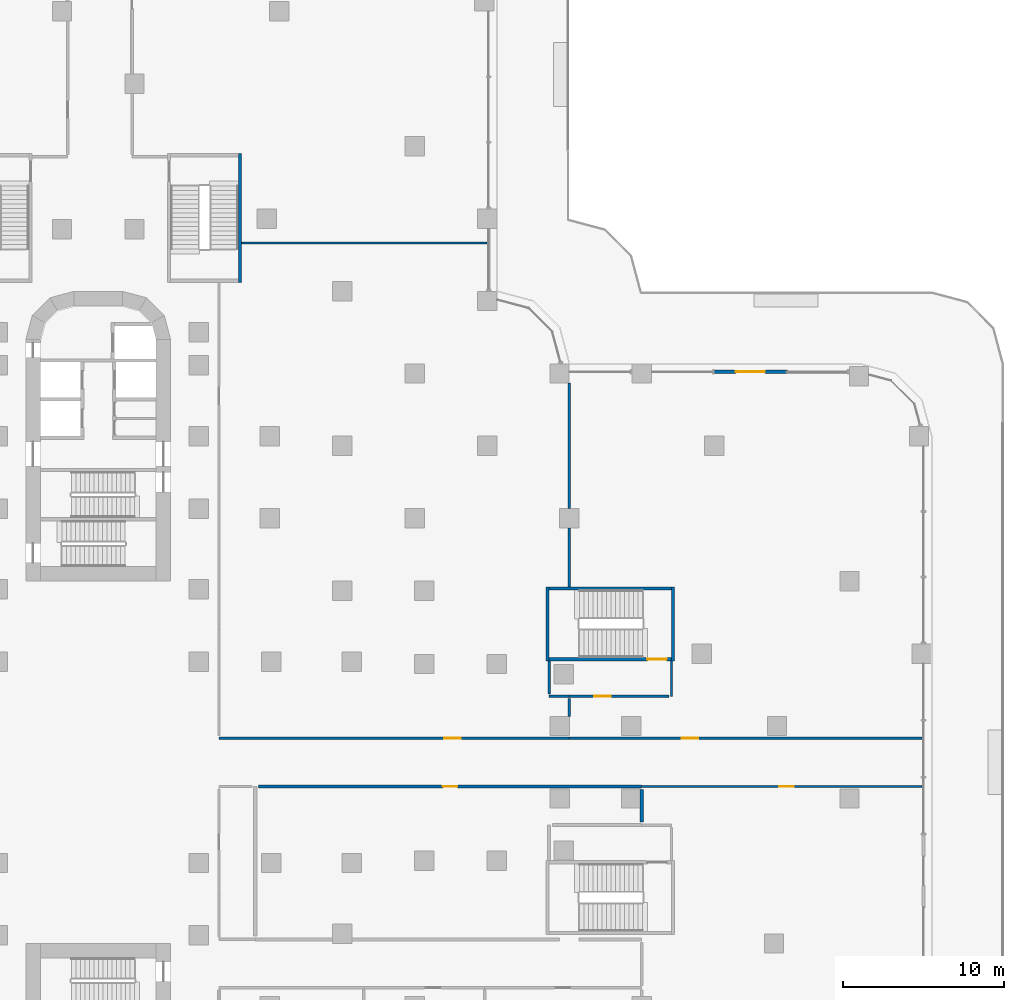
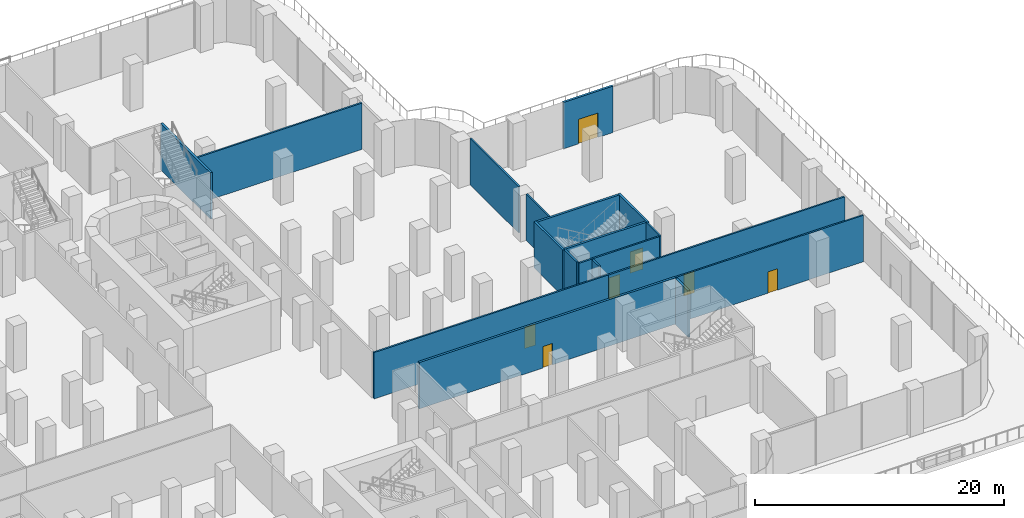
# One storey, part 22 of 30: 19 walls, 7 doors, 7 openings.
"""IFC4 building model written with IfcOpenShell, lengths in metres."""

from ifc_helpers import new_model, si_unit, direction, frame, frame_2d, origin, place, context, subcontext, project, spatial, rectangle, extrude, material, layer, layer_set, type_object, element, fill, save


model = new_model("IFC4")

# Units and contexts
model_context = context("Model", 3, precision=1e-05, world=origin(), true_north=direction((0.0, 1.0)))
body_context = subcontext(model_context, "Body", "Model", "MODEL_VIEW")
ifc_project = project(units=[si_unit("LENGTHUNIT", "METRE"), si_unit("AREAUNIT", "SQUARE_METRE"), si_unit("VOLUMEUNIT", "CUBIC_METRE"), si_unit("PLANEANGLEUNIT", "RADIAN"), si_unit("MASSUNIT", "GRAM", prefix="KILO")], contexts=[model_context])

# Site, building, storey
site_placement = place(None, origin())
site = spatial("IfcSite", under=ifc_project, at=site_placement, CompositionType="ELEMENT")
building_placement = place(site_placement, origin())
building = spatial("IfcBuilding", under=site, at=building_placement, Name="Zarbagh Exchange Tower", CompositionType="ELEMENT")
storey_placement = place(building_placement, frame((0.0, 0.0, 7.0)))
storey = spatial("IfcBuildingStorey", under=building, at=storey_placement, Name="L01", CompositionType="ELEMENT", Elevation=7.0)

# Walls
ifc_material_1 = material(Name="Plasterboard partition")
ifc_layer_1 = layer(ifc_material_1, 0.14990234375)
ifc_layer_set_1 = layer_set([ifc_layer_1], Name="Board partition 150")
wall_type_1 = type_object("IfcWallType", Name="Board partition 150", PredefinedType="PARTITIONING", material=ifc_layer_set_1)
wall_1_placement = place(storey_placement, frame((29.25, 4.10009765625, 0.0), z_axis=(0.0, 0.0, 1.0), x_axis=(-1.0, 0.0, 0.0)))
element("IfcWall", 1, at=wall_1_placement, inside=storey, type_object=wall_type_1, Name="WL-L01-W003", PredefinedType="PARTITIONING", context=body_context, shape_type="SweptSolid", body=[
    extrude(rectangle(XDim=1.25, YDim=0.14990234375, at=frame_2d((0.625, 0.0))), origin(), (0.0, 0.0, 1.0), 4.550048828125),
])
wall_2_placement = place(storey_placement, frame((28.0, 4.25, 0.0), z_axis=(0.0, 0.0, 1.0), x_axis=(0.0, 1.0, 0.0)))
element("IfcWall", 2, at=wall_2_placement, inside=storey, type_object=wall_type_1, Name="WL-L01-W004", PredefinedType="PARTITIONING", context=body_context, shape_type="SweptSolid", body=[
    extrude(rectangle(XDim=2.050048828125, YDim=0.14990234375, at=frame_2d((1.02490234375, 0.0))), origin(), (0.0, 0.0, 1.0), 4.550048828125),
])
wall_3_placement = place(storey_placement, frame((35.60009765625, 6.300048828125, 0.0), z_axis=(0.0, 0.0, 1.0), x_axis=(0.0, -1.0, 0.0)))
element("IfcWall", 3, at=wall_3_placement, inside=storey, type_object=wall_type_1, Name="WL-L01-W005", PredefinedType="PARTITIONING", context=body_context, shape_type="SweptSolid", body=[
    extrude(rectangle(XDim=2.199951171875, YDim=0.14990234375, at=frame_2d((1.10009765625, 0.0))), origin(), (0.0, 0.0, 1.0), 4.550048828125),
])

# Wall, opening, door
wall_4_placement = place(storey_placement, frame((35.449951171875, 4.10009765625, 0.0), z_axis=(0.0, 0.0, 1.0), x_axis=(-1.0, 0.0, 0.0)))
wall_4 = element("IfcWall", 4, at=wall_4_placement, inside=storey, type_object=wall_type_1, Name="WL-L01-W006", PredefinedType="PARTITIONING", context=body_context, shape_type="SweptSolid", body=[
    extrude(rectangle(XDim=6.199951171875, YDim=0.14990234375, at=frame_2d((3.10009765625, 0.0))), origin(), (0.0, 0.0, 1.0), 4.550048828125),
])
opening_1_placement = place(wall_4_placement, frame((3.633056640625, 0.0, 0.0)))
opening_1 = element("IfcOpeningElement", 5, at=opening_1_placement, cuts=wall_4, Name="Opening D30", PredefinedType="OPENING", context=body_context, shape_type="SweptSolid", body=[
    extrude(rectangle(XDim=1.0, YDim=2.10009765625, at=frame_2d((0.5, 1.050048828125))), frame((0.0, 0.0849609375, 0.0), z_axis=(0.0, -1.0, 0.0), x_axis=(1.0, 0.0, 0.0)), (0.0, 0.0, 1.0), 0.169921875),
])
ifc_material_2 = material(Name="Timber door leaf", Category="wood")
door_type_1 = type_object("IfcDoorType", Name="Door single 1000x2100", OperationType="SINGLE_SWING_LEFT", PredefinedType="DOOR", material=ifc_material_2)
door_1_placement = place(opening_1_placement, origin())
door_1 = element("IfcDoor", 6, at=door_1_placement, inside=storey, type_object=door_type_1, Name="D01", OperationType="SINGLE_SWING_LEFT", OverallHeight=2.10009765625, OverallWidth=1.0, PredefinedType="DOOR", context=body_context, shape_type="SweptSolid", body=[
    extrude(rectangle(XDim=1.0, YDim=2.10009765625, at=frame_2d((0.5, 1.050048828125))), frame((0.0, 0.02490234375, 0.0), z_axis=(0.0, -1.0, 0.0), x_axis=(1.0, 0.0, 0.0)), (0.0, 0.0, 1.0), 0.050048828125),
])
fill(opening_1, door_1)

wall_5_placement = place(storey_placement, frame((7.5, 1.5, 0.0), z_axis=(0.0, 0.0, 1.0), x_axis=(1.0, 0.0, 0.0)))
wall_5 = element("IfcWall", 7, at=wall_5_placement, inside=storey, type_object=wall_type_1, Name="WL-L01-W071", PredefinedType="PARTITIONING", context=body_context, shape_type="SweptSolid", body=[
    extrude(rectangle(XDim=21.75, YDim=0.14990234375, at=frame_2d((10.875, 0.0))), origin(), (0.0, 0.0, 1.0), 4.550048828125),
])
opening_2_placement = place(wall_5_placement, frame((14.0, 0.0, 0.0)))
opening_2 = element("IfcOpeningElement", 8, at=opening_2_placement, cuts=wall_5, Name="Opening D61", PredefinedType="OPENING", context=body_context, shape_type="SweptSolid", body=[
    extrude(rectangle(XDim=1.0, YDim=2.10009765625, at=frame_2d((0.5, 1.050048828125))), frame((0.0, 0.0849609375, 0.0), z_axis=(0.0, -1.0, 0.0), x_axis=(1.0, 0.0, 0.0)), (0.0, 0.0, 1.0), 0.169921875),
])
door_2_placement = place(opening_2_placement, origin())
door_2 = element("IfcDoor", 9, at=door_2_placement, inside=storey, type_object=door_type_1, Name="D16", OperationType="SINGLE_SWING_LEFT", OverallHeight=2.10009765625, OverallWidth=1.0, PredefinedType="DOOR", context=body_context, shape_type="SweptSolid", body=[
    extrude(rectangle(XDim=1.0, YDim=2.10009765625, at=frame_2d((0.5, 1.050048828125))), frame((0.0, 0.02490234375, 0.0), z_axis=(0.0, -1.0, 0.0), x_axis=(1.0, 0.0, 0.0)), (0.0, 0.0, 1.0), 0.050048828125),
])
fill(opening_2, door_2)

wall_6_placement = place(storey_placement, frame((29.25, 1.5, 0.0), z_axis=(0.0, 0.0, 1.0), x_axis=(1.0, 0.0, 0.0)))
wall_6 = element("IfcWall", 10, at=wall_6_placement, inside=storey, type_object=wall_type_1, Name="WL-L01-W072", PredefinedType="PARTITIONING", context=body_context, shape_type="SweptSolid", body=[
    extrude(rectangle(XDim=21.89990234375, YDim=0.14990234375, at=frame_2d((10.949951171875, 0.0))), origin(), (0.0, 0.0, 1.0), 4.550048828125),
])
opening_3_placement = place(wall_6_placement, frame((7.0, 0.0, 0.0)))
opening_3 = element("IfcOpeningElement", 11, at=opening_3_placement, cuts=wall_6, Name="Opening D62", PredefinedType="OPENING", context=body_context, shape_type="SweptSolid", body=[
    extrude(rectangle(XDim=1.0, YDim=2.10009765625, at=frame_2d((0.5, 1.050048828125))), frame((0.0, 0.0849609375, 0.0), z_axis=(0.0, -1.0, 0.0), x_axis=(1.0, 0.0, 0.0)), (0.0, 0.0, 1.0), 0.169921875),
])
door_3_placement = place(opening_3_placement, origin())
door_3 = element("IfcDoor", 12, at=door_3_placement, inside=storey, type_object=door_type_1, Name="D17", OperationType="SINGLE_SWING_LEFT", OverallHeight=2.10009765625, OverallWidth=1.0, PredefinedType="DOOR", context=body_context, shape_type="SweptSolid", body=[
    extrude(rectangle(XDim=1.0, YDim=2.10009765625, at=frame_2d((0.5, 1.050048828125))), frame((0.0, 0.02490234375, 0.0), z_axis=(0.0, -1.0, 0.0), x_axis=(1.0, 0.0, 0.0)), (0.0, 0.0, 1.0), 0.050048828125),
])
fill(opening_3, door_3)

wall_7_placement = place(storey_placement, frame((51.14990234375, -1.5, 0.0), z_axis=(0.0, 0.0, 1.0), x_axis=(-1.0, 0.0, 0.0)))
wall_7 = element("IfcWall", 13, at=wall_7_placement, inside=storey, type_object=wall_type_1, Name="WL-L01-W073", PredefinedType="PARTITIONING", context=body_context, shape_type="SweptSolid", body=[
    extrude(rectangle(XDim=17.39990234375, YDim=0.14990234375, at=frame_2d((8.699951171875, 0.0))), origin(), (0.0, 0.0, 1.0), 4.550048828125),
])
opening_4_placement = place(wall_7_placement, frame((7.949951171875, 0.0, 0.0)))
opening_4 = element("IfcOpeningElement", 14, at=opening_4_placement, cuts=wall_7, Name="Opening D18", PredefinedType="OPENING", context=body_context, shape_type="SweptSolid", body=[
    extrude(rectangle(XDim=0.89990234375, YDim=2.10009765625, at=frame_2d((0.449951171875, 1.050048828125))), frame((0.0, 0.0849609375, 0.0), z_axis=(0.0, -1.0, 0.0), x_axis=(1.0, 0.0, 0.0)), (0.0, 0.0, 1.0), 0.169921875),
])
door_type_2 = type_object("IfcDoorType", Name="Door single 900x2100", OperationType="SINGLE_SWING_LEFT", PredefinedType="DOOR", material=ifc_material_2)
door_4_placement = place(opening_4_placement, origin())
door_4 = element("IfcDoor", 15, at=door_4_placement, inside=storey, type_object=door_type_2, Name="D18", OperationType="SINGLE_SWING_LEFT", OverallHeight=2.10009765625, OverallWidth=0.89990234375, PredefinedType="DOOR", context=body_context, shape_type="SweptSolid", body=[
    extrude(rectangle(XDim=0.89990234375, YDim=2.10009765625, at=frame_2d((0.449951171875, 1.050048828125))), frame((0.0, 0.02490234375, 0.0), z_axis=(0.0, -1.0, 0.0), x_axis=(1.0, 0.0, 0.0)), (0.0, 0.0, 1.0), 0.050048828125),
])
fill(opening_4, door_4)

# Walls
wall_8_placement = place(storey_placement, frame((29.25, 3.949951171875, 0.0), z_axis=(0.0, 0.0, 1.0), x_axis=(0.0, -1.0, 0.0)))
element("IfcWall", 16, at=wall_8_placement, inside=storey, type_object=wall_type_1, Name="WL-L01-W085", PredefinedType="PARTITIONING", context=body_context, shape_type="SweptSolid", body=[
    extrude(rectangle(XDim=1.099853515625, YDim=0.14990234375, at=frame_2d((0.5498046875, 0.0))), origin(), (0.0, 0.0, 1.0), 4.550048828125),
])
wall_9_placement = place(storey_placement, frame((29.25, 23.550048828125, 0.0), z_axis=(0.0, 0.0, 1.0), x_axis=(0.0, -1.0, 0.0)))
element("IfcWall", 17, at=wall_9_placement, inside=storey, type_object=wall_type_1, Name="WL-L01-W086", PredefinedType="PARTITIONING", context=body_context, shape_type="SweptSolid", body=[
    extrude(rectangle(XDim=7.800048828125, YDim=0.14990234375, at=frame_2d((3.89990234375, 0.0))), origin(), (0.0, 0.0, 1.0), 4.550048828125),
])
wall_10_placement = place(storey_placement, frame((29.25, 14.550048828125, 0.0), z_axis=(0.0, 0.0, 1.0), x_axis=(0.0, -1.0, 0.0)))
element("IfcWall", 18, at=wall_10_placement, inside=storey, type_object=wall_type_1, Name="WL-L01-W087", PredefinedType="PARTITIONING", context=body_context, shape_type="SweptSolid", body=[
    extrude(rectangle(XDim=3.650146484375, YDim=0.14990234375, at=frame_2d((1.8251953125, 0.0))), origin(), (0.0, 0.0, 1.0), 4.550048828125),
])
wall_11_placement = place(storey_placement, frame((8.89990234375, 32.25, 0.0), z_axis=(0.0, 0.0, 1.0), x_axis=(1.0, 0.0, 0.0)))
element("IfcWall", 19, at=wall_11_placement, inside=storey, type_object=wall_type_1, Name="WL-L01-W088", PredefinedType="PARTITIONING", context=body_context, shape_type="SweptSolid", body=[
    extrude(rectangle(XDim=15.25, YDim=0.14990234375, at=frame_2d((7.625, 0.0))), origin(), (0.0, 0.0, 1.0), 4.550048828125),
])

# Wall, opening, door
ifc_material_3 = material(Name="Concrete block partition", Category="concrete")
ifc_layer_2 = layer(ifc_material_3, 0.199951171875)
ifc_layer_set_2 = layer_set([ifc_layer_2], Name="Fire-rated block partition 200 EI 60")
wall_type_2 = type_object("IfcWallType", Name="Fire-rated block partition 200 EI 60", PredefinedType="PARTITIONING", material=ifc_layer_set_2)
wall_12_placement = place(storey_placement, frame((33.75, -1.5, 0.0), z_axis=(0.0, 0.0, 1.0), x_axis=(-1.0, 0.0, 0.0)))
wall_12 = element("IfcWall", 20, at=wall_12_placement, inside=storey, type_object=wall_type_2, Name="WL-L01-W039", PredefinedType="PARTITIONING", context=body_context, shape_type="SweptSolid", body=[
    extrude(rectangle(XDim=23.800048828125, YDim=0.199951171875, at=frame_2d((11.89990234375, 0.0))), origin(), (0.0, 0.0, 1.0), 4.550048828125),
])
opening_5_placement = place(wall_12_placement, frame((11.449951171875, 0.0, 0.0)))
opening_5 = element("IfcOpeningElement", 21, at=opening_5_placement, cuts=wall_12, Name="Opening D46", PredefinedType="OPENING", context=body_context, shape_type="SweptSolid", body=[
    extrude(rectangle(XDim=0.89990234375, YDim=2.10009765625, at=frame_2d((0.449951171875, 1.050048828125))), frame((0.0, 0.10986328125, 0.0), z_axis=(0.0, -1.0, 0.0), x_axis=(1.0, 0.0, 0.0)), (0.0, 0.0, 1.0), 0.219970703125),
])
ifc_material_4 = material(Name="Steel door set", Category="steel")
door_type_3 = type_object("IfcDoorType", Name="Door single 900x2100 EI 60", OperationType="SINGLE_SWING_LEFT", PredefinedType="DOOR", material=ifc_material_4)
door_5_placement = place(opening_5_placement, origin())
door_5 = element("IfcDoor", 22, at=door_5_placement, inside=storey, type_object=door_type_3, Name="D07", OperationType="SINGLE_SWING_LEFT", OverallHeight=2.10009765625, OverallWidth=0.89990234375, PredefinedType="DOOR", context=body_context, shape_type="SweptSolid", body=[
    extrude(rectangle(XDim=0.89990234375, YDim=2.10009765625, at=frame_2d((0.449951171875, 1.050048828125))), frame((0.0, 0.02490234375, 0.0), z_axis=(0.0, -1.0, 0.0), x_axis=(1.0, 0.0, 0.0)), (0.0, 0.0, 1.0), 0.050048828125),
])
fill(opening_5, door_5)

# Walls
wall_13_placement = place(storey_placement, frame((33.75, -1.699951171875, 0.0), z_axis=(0.0, 0.0, 1.0), x_axis=(0.0, -1.0, 0.0)))
element("IfcWall", 23, at=wall_13_placement, inside=storey, type_object=wall_type_2, Name="WL-L01-W041", PredefinedType="PARTITIONING", context=body_context, shape_type="SweptSolid", body=[
    extrude(rectangle(XDim=2.0, YDim=0.199951171875, at=frame_2d((1.0, 0.0))), origin(), (0.0, 0.0, 1.0), 4.550048828125),
])
ifc_material_5 = material(Name="Concrete C40/50", Category="concrete")
ifc_layer_3 = layer(ifc_material_5, 0.199951171875)
ifc_layer_set_3 = layer_set([ifc_layer_3], Name="Stair enclosure wall 200 mm RC C40/50")
wall_type_3 = type_object("IfcWallType", Name="Stair enclosure wall 200 mm RC C40/50", PredefinedType="SHEAR", material=ifc_layer_set_3)
wall_14_placement = place(storey_placement, frame((8.800048828125, 29.800048828125, 0.0), z_axis=(0.0, 0.0, 1.0), x_axis=(0.0, 1.0, 0.0)))
element("IfcWall", 24, at=wall_14_placement, inside=storey, type_object=wall_type_3, Name="Exit stair PS2 enclosure wall E", PredefinedType="SHEAR", context=body_context, shape_type="SweptSolid", body=[
    extrude(rectangle(XDim=8.0, YDim=0.199951171875, at=frame_2d((4.0, 0.0))), origin(), (0.0, 0.0, 1.0), 4.550048828125),
])
for number, where, z_axis, x_axis, name in (
    (25, (27.89990234375, 6.300048828125, 0.0), (0.0, 0.0, 1.0), (0.0, 1.0, 0.0), "Exit stair PS3 enclosure wall W"),
    (26, (35.699951171875, 6.300048828125, 0.0), (0.0, 0.0, 1.0), (0.0, 1.0, 0.0), "Exit stair PS3 enclosure wall E"),
):
    element("IfcWall", number, at=place(storey_placement, frame(where, z_axis=z_axis, x_axis=x_axis)), inside=storey, type_object=wall_type_3, Name=name, PredefinedType="SHEAR", context=body_context, shape_type="SweptSolid", body=[
        extrude(rectangle(XDim=4.599853515625, YDim=0.199951171875, at=frame_2d((2.2998046875, 0.0))), origin(), (0.0, 0.0, 1.0), 4.550048828125),
    ])

# Wall, opening, door
wall_15_placement = place(storey_placement, frame((28.0, 6.39990234375, 0.0), z_axis=(0.0, 0.0, 1.0), x_axis=(1.0, 0.0, 0.0)))
wall_15 = element("IfcWall", 27, at=wall_15_placement, inside=storey, type_object=wall_type_3, Name="Exit stair PS3 enclosure wall S", PredefinedType="SHEAR", context=body_context, shape_type="SweptSolid", body=[
    extrude(rectangle(XDim=7.60009765625, YDim=0.199951171875, at=frame_2d((3.800048828125, 0.0))), origin(), (0.0, 0.0, 1.0), 4.550048828125),
])
opening_6_placement = place(wall_15_placement, frame((6.10009765625, 0.0, 0.0)))
opening_6 = element("IfcOpeningElement", 28, at=opening_6_placement, cuts=wall_15, Name="Opening SD1-1200", PredefinedType="OPENING", context=body_context, shape_type="SweptSolid", body=[
    extrude(rectangle(XDim=1.199951171875, YDim=2.10009765625, at=frame_2d((0.60009765625, 1.050048828125))), frame((0.0, 0.10986328125, 0.0), z_axis=(0.0, -1.0, 0.0), x_axis=(1.0, 0.0, 0.0)), (0.0, 0.0, 1.0), 0.219970703125),
])
ifc_material_6 = material(Name="Steel", Category="steel")
door_type_4 = type_object("IfcDoorType", Name="Exit stair door 1200 x 2100", OperationType="NOTDEFINED", PredefinedType="DOOR", material=ifc_material_6)
door_6_placement = place(opening_6_placement, origin())
door_6 = element("IfcDoor", 29, at=door_6_placement, inside=storey, type_object=door_type_4, Name="Exit stair PS3 entry door", OperationType="SINGLE_SWING_RIGHT", OverallHeight=2.10009765625, OverallWidth=1.199951171875, PredefinedType="DOOR", context=body_context, shape_type="SweptSolid", body=[
    extrude(rectangle(XDim=1.199951171875, YDim=2.10009765625, at=frame_2d((0.60009765625, 1.050048828125))), frame((0.0, 0.02490234375, 0.0), z_axis=(0.0, -1.0, 0.0), x_axis=(1.0, 0.0, 0.0)), (0.0, 0.0, 1.0), 0.050048828125),
])
fill(opening_6, door_6)

# Wall
wall_16_placement = place(storey_placement, frame((28.0, 10.800048828125, 0.0), z_axis=(0.0, 0.0, 1.0), x_axis=(1.0, 0.0, 0.0)))
element("IfcWall", 30, at=wall_16_placement, inside=storey, type_object=wall_type_3, Name="Exit stair PS3 enclosure wall N", PredefinedType="SHEAR", context=body_context, shape_type="SweptSolid", body=[
    extrude(rectangle(XDim=7.60009765625, YDim=0.199951171875, at=frame_2d((3.800048828125, 0.0))), origin(), (0.0, 0.0, 1.0), 4.550048828125),
])

# Wall, opening, door
ifc_material_7 = material(Name="Precast concrete C50/60", Category="concrete")
ifc_layer_4 = layer(ifc_material_7, 0.199951171875)
ifc_layer_set_4 = layer_set([ifc_layer_4], Name="Terrace door wall, precast concrete C50/60")
wall_type_4 = type_object("IfcWallType", Name="Terrace door wall, precast concrete C50/60", PredefinedType="SOLIDWALL", material=ifc_layer_set_4)
wall_17_placement = place(storey_placement, frame((42.7900390625, 24.25, 0.0), z_axis=(0.0, 0.0, 1.0), x_axis=(-1.0, 0.0, 0.0)))
wall_17 = element("IfcWall", 31, at=wall_17_placement, inside=storey, type_object=wall_type_4, Name="TW04 door wall", PredefinedType="SOLIDWALL", context=body_context, shape_type="SweptSolid", body=[
    extrude(rectangle(XDim=4.580078125, YDim=0.199951171875, at=frame_2d((2.2900390625, 0.0))), origin(), (0.0, 0.0, 1.0), 4.550048828125),
])
opening_7_placement = place(wall_17_placement, frame((1.389892578125, 0.0, 0.0)))
opening_7 = element("IfcOpeningElement", 32, at=opening_7_placement, cuts=wall_17, Name="Opening TD03", PredefinedType="OPENING", context=body_context, shape_type="SweptSolid", body=[
    extrude(rectangle(XDim=1.800048828125, YDim=2.39990234375, at=frame_2d((0.89990234375, 1.199951171875))), frame((0.0, 0.10986328125, 0.0), z_axis=(0.0, -1.0, 0.0), x_axis=(1.0, 0.0, 0.0)), (0.0, 0.0, 1.0), 0.219970703125),
])
ifc_material_8 = material(Name="Anodised aluminium and glass", Category="aluminium")
door_type_5 = type_object("IfcDoorType", Name="Terrace door, double leaf, aluminium and glass", OperationType="DOUBLE_DOOR_DOUBLE_SWING", PredefinedType="DOOR", material=ifc_material_8)
door_7_placement = place(opening_7_placement, origin())
door_7 = element("IfcDoor", 33, at=door_7_placement, inside=storey, type_object=door_type_5, Name="TD03 terrace door", OperationType="SINGLE_SWING_LEFT", OverallHeight=2.39990234375, OverallWidth=1.800048828125, PredefinedType="DOOR", context=body_context, shape_type="SweptSolid", body=[
    extrude(rectangle(XDim=1.800048828125, YDim=2.39990234375, at=frame_2d((0.89990234375, 1.199951171875))), frame((0.0, 0.02490234375, 0.0), z_axis=(0.0, -1.0, 0.0), x_axis=(1.0, 0.0, 0.0)), (0.0, 0.0, 1.0), 0.050048828125),
])
fill(opening_7, door_7)

save(model, "model.ifc")
